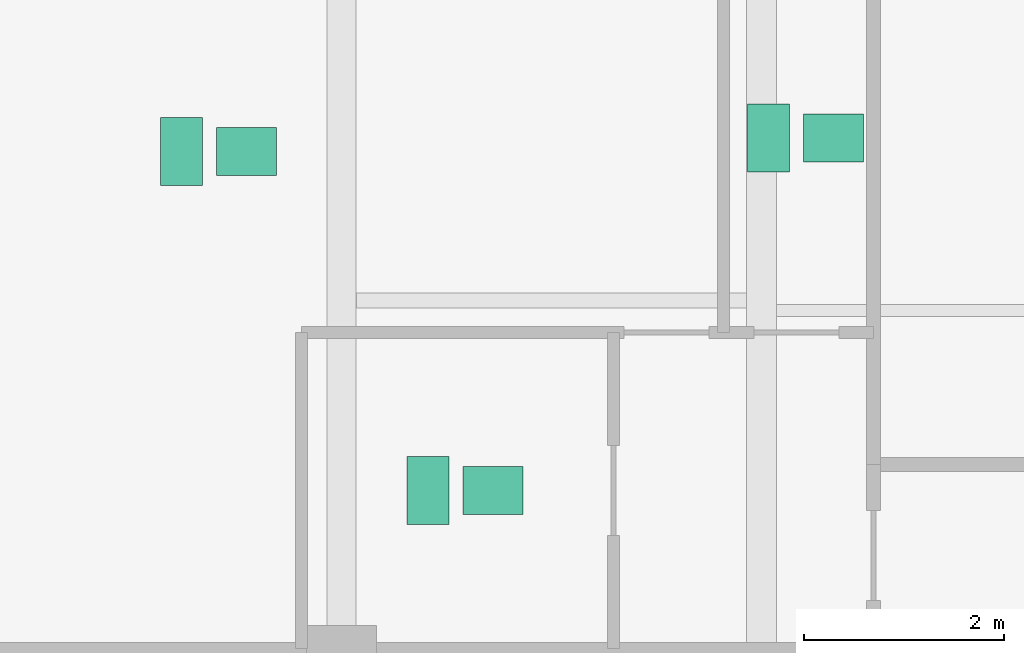
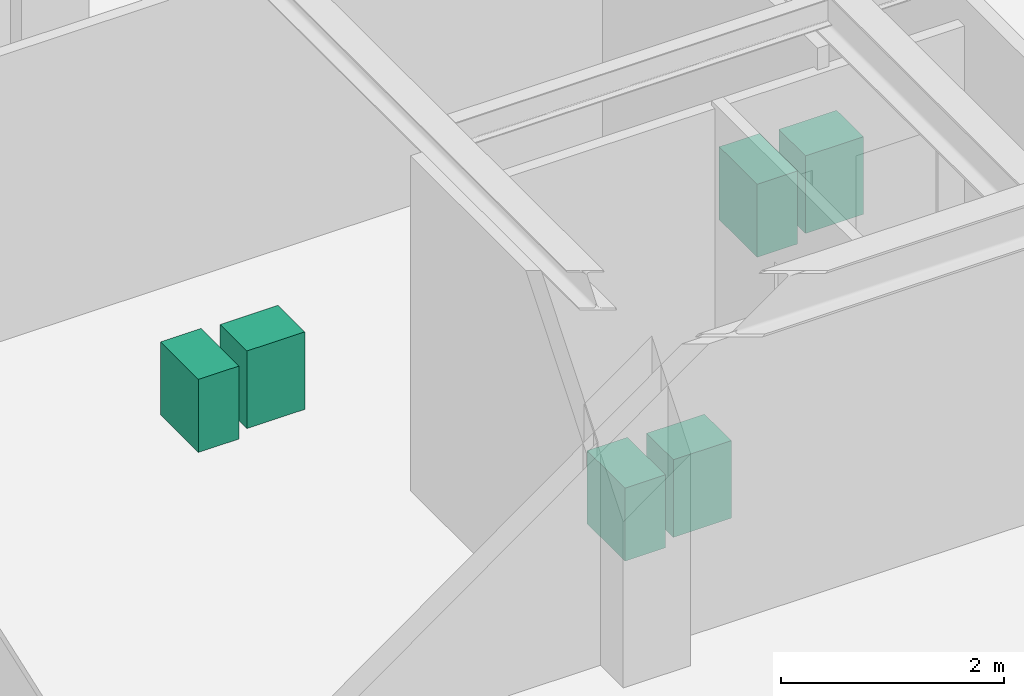
# One storey, part 21 of 21: 6 sanitary terminals.
"""IFC4 building model written with IfcOpenShell, lengths in metres."""

from ifc_helpers import new_model, si_unit, direction, frame, origin, origin_2d, place, context, subcontext, project, spatial, rectangle, extrude, source, transform, mapped, material, type_object, type_shapes, element, save


model = new_model("IFC4")

# Units and contexts
model_context = context("Model", 3, precision=1e-05, world=origin(), true_north=direction((0.0, 1.0)))
body_context = subcontext(model_context, "Body", "Model", "MODEL_VIEW")
ifc_project = project(units=[si_unit("LENGTHUNIT", "METRE"), si_unit("AREAUNIT", "SQUARE_METRE"), si_unit("VOLUMEUNIT", "CUBIC_METRE"), si_unit("PLANEANGLEUNIT", "RADIAN"), si_unit("MASSUNIT", "GRAM", prefix="KILO")], contexts=[model_context])

# Site, building, storey
site_placement = place(None, origin())
site = spatial("IfcSite", under=ifc_project, at=site_placement, CompositionType="ELEMENT")
building_placement = place(site_placement, origin())
building = spatial("IfcBuilding", under=site, at=building_placement, Name="Krantzveldt Concourse Tower", CompositionType="ELEMENT")
storey_placement = place(building_placement, frame((0.0, 0.0, 343.5)))
storey = spatial("IfcBuildingStorey", under=building, at=storey_placement, Name="L84", CompositionType="ELEMENT", Elevation=343.5)

# Sanitary terminals
ifc_material = material(Name="Vitreous china", Category="ceramic")
sanitary_terminal_type_1 = type_object("IfcSanitaryTerminalType", Name="SAN-WC-SUITE", PredefinedType="TOILETPAN", material=ifc_material)
shared_shape_1 = source(origin(), body_context, "Body", "SweptSolid", [
    extrude(rectangle(XDim=0.419921875, YDim=0.679931640625, at=origin_2d()), origin(), (0.0, 0.0, 1.0), 0.800048828125),
])
type_shapes(sanitary_terminal_type_1, [shared_shape_1])
for number, where, z_axis, x_axis, name in (
    (1, (19.401123046875, 31.78857421875, 0.0), (0.0, 0.0, 1.0), (1.0, 0.0, 0.0), "WC-SP-L84-WCM"),
    (2, (25.27001953125, 31.925048828125, 0.0), (0.0, 0.0, 1.0), (1.0, 0.0, 0.0), "WC-SP-L84-WCF"),
    (3, (21.864990234375, 28.39990234375, 0.0), (0.0, 0.0, 1.0), (1.0, 0.0, 0.0), "WC-SP-L84-WCA"),
):
    element("IfcSanitaryTerminal", number, at=place(storey_placement, frame(where, z_axis=z_axis, x_axis=x_axis)), inside=storey, type_object=sanitary_terminal_type_1, Name=name, PredefinedType="TOILETPAN", context=body_context, shape_type="MappedRepresentation", body=[
        mapped(shared_shape_1, transform((0.0, 0.0, 0.0), x_axis=(1.0, 0.0, 0.0), y_axis=(0.0, 1.0, 0.0), z_axis=(0.0, 0.0, 1.0), scale=1.0)),
    ])
sanitary_terminal_type_2 = type_object("IfcSanitaryTerminalType", Name="SAN-BASIN-600", PredefinedType="WASHHANDBASIN", material=ifc_material)
shared_shape_2 = source(origin(), body_context, "Body", "SweptSolid", [
    extrude(rectangle(XDim=0.60009765625, YDim=0.47998046875, at=origin_2d()), origin(), (0.0, 0.0, 1.0), 0.85009765625),
])
type_shapes(sanitary_terminal_type_2, [shared_shape_2])
for number, where, z_axis, x_axis, name in (
    (4, (20.05126953125, 31.78857421875, 0.0048828125), (0.0, 0.0, 1.0), (1.0, 0.0, 0.0), "BSN-SP-L84-WCM"),
    (5, (25.919921875, 31.925048828125, 0.0048828125), (0.0, 0.0, 1.0), (1.0, 0.0, 0.0), "BSN-SP-L84-WCF"),
    (6, (22.514892578125, 28.39990234375, 0.0048828125), (0.0, 0.0, 1.0), (1.0, 0.0, 0.0), "BSN-SP-L84-WCA"),
):
    element("IfcSanitaryTerminal", number, at=place(storey_placement, frame(where, z_axis=z_axis, x_axis=x_axis)), inside=storey, type_object=sanitary_terminal_type_2, Name=name, PredefinedType="WASHHANDBASIN", context=body_context, shape_type="MappedRepresentation", body=[
        mapped(shared_shape_2, transform((0.0, 0.0, 0.0), x_axis=(1.0, 0.0, 0.0), y_axis=(0.0, 1.0, 0.0), z_axis=(0.0, 0.0, 1.0), scale=1.0)),
    ])

save(model, "model.ifc")
